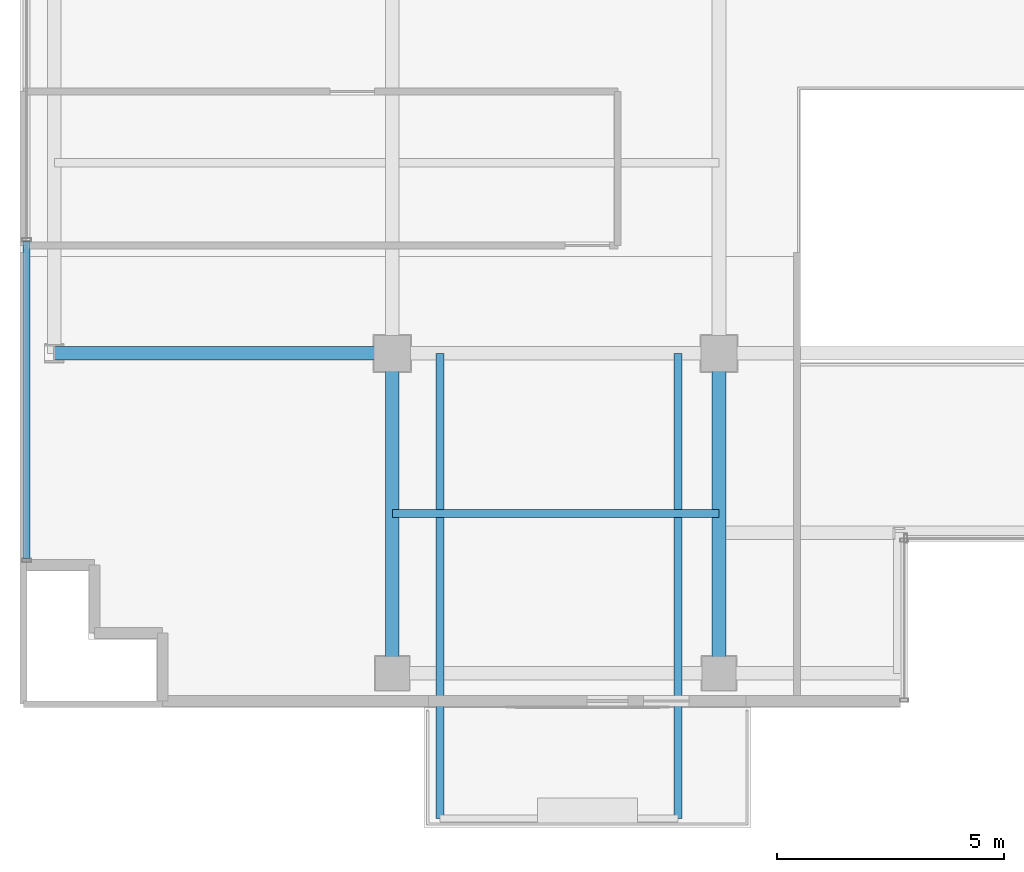
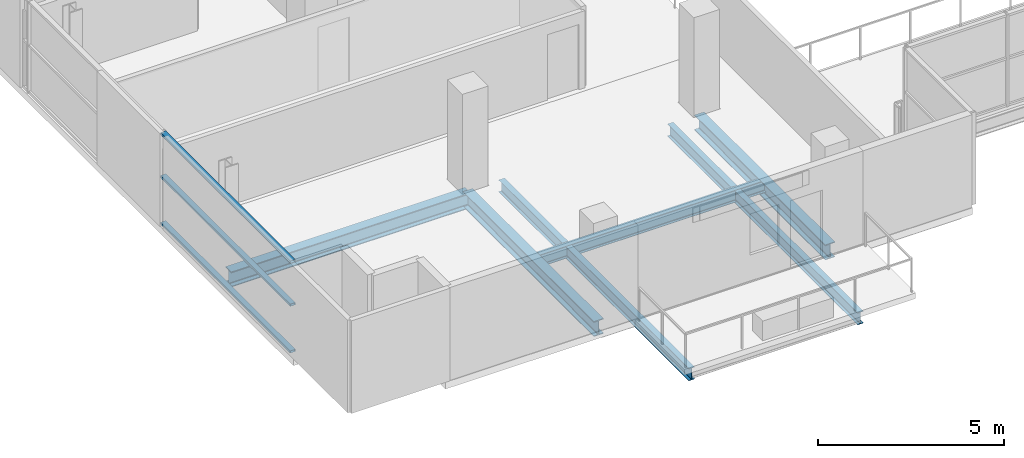
# One storey, part 3 of 22: 6 beams, 3 members, 1 element without a shape of its own.
"""IFC4 building model written with IfcOpenShell, lengths in metres."""

import ifcopenshell
import ifcopenshell.guid

model = None  # the IFC model being written
_history = None  # IfcOwnerHistory: only IFC2X3 demands one
_inside = {}  # id of a spatial element -> (the spatial element, [elements in it])
_under = {}  # id of a project, library or spatial element -> (it, [spatial elements below it])
_declared = {}  # id of a project -> (the project, [libraries it declares])
_typed = {}  # id of a type object -> (the type object, [elements of that type])
_made_of = {}  # id of a material, layer set ... -> (it, [elements and type objects made of it])


def new_model(schema):
    """Start an empty IFC model of exactly this schema.

    Asked for "IFC4X3", IfcOpenShell would pick the latest addendum, in which some entities
    have other attributes; the version numbers below select the first issue.
    IFC2X3 requires an IfcOwnerHistory on every rooted entity: one is made here for all.
    """
    global model, _history
    if schema == "IFC4X3":
        model = ifcopenshell.file(schema_version=(4, 3, 0, 0))
    else:
        model = ifcopenshell.file(schema=schema)
    _inside.clear()
    _under.clear()
    _declared.clear()
    _typed.clear()
    _made_of.clear()
    _history = None
    if model.schema == "IFC2X3":
        org = make("IfcOrganization", Name="unknown")
        user = make(
            "IfcPersonAndOrganization",
            ThePerson=make("IfcPerson", FamilyName="unknown"),
            TheOrganization=org,
        )
        app = make(
            "IfcApplication",
            ApplicationDeveloper=org,
            Version="unknown",
            ApplicationFullName="unknown",
            ApplicationIdentifier="unknown",
        )
        _history = make(
            "IfcOwnerHistory",
            OwningUser=user,
            OwningApplication=app,
            ChangeAction="ADDED",
            CreationDate=0,
        )
    return model


def make(cls, **values):
    """One entity of the class cls with the attributes given. An attribute that is None is left unset."""
    return model.create_entity(
        cls, **{name: value for name, value in values.items() if value is not None}
    )


def rooted(cls, **values):
    """An entity with a GlobalId (a new one), such as an element, a storey or a relation."""
    return make(cls, GlobalId=ifcopenshell.guid.new(), OwnerHistory=_history, **values)


def si_unit(unit_type, name, prefix=None):
    """IfcSIUnit, for example si_unit("LENGTHUNIT", "METRE", prefix="MILLI")."""
    return make("IfcSIUnit", UnitType=unit_type, Prefix=prefix, Name=name)


def assignment(units):
    """IfcUnitAssignment: the units of a project."""
    return None if units is None else make("IfcUnitAssignment", Units=units)


def point(xyz):
    """IfcCartesianPoint."""
    return None if xyz is None else make("IfcCartesianPoint", Coordinates=xyz)


def direction(xyz):
    """IfcDirection."""
    return None if xyz is None else make("IfcDirection", DirectionRatios=xyz)


def frame(location, z_axis=None, x_axis=None):
    """IfcAxis2Placement3D, a coordinate frame: its origin and axes. An axis left out is left unset."""
    return make(
        "IfcAxis2Placement3D",
        Location=point(location),
        Axis=direction(z_axis),
        RefDirection=direction(x_axis),
    )


def frame_2d(location, x_axis=None):
    """IfcAxis2Placement2D, a coordinate frame in the plane: its origin and x axis."""
    return make(
        "IfcAxis2Placement2D", Location=point(location), RefDirection=direction(x_axis)
    )


def origin():
    """The frame at (0, 0, 0) with its axes left unset."""
    return frame((0.0, 0.0, 0.0))


def origin_2d():
    """The frame at (0, 0) in the plane with its x axis left unset."""
    return frame_2d((0.0, 0.0))


def place(relative_to, where):
    """IfcLocalPlacement: puts the frame where relative to a parent placement (None: the world)."""
    return make(
        "IfcLocalPlacement", PlacementRelTo=relative_to, RelativePlacement=where
    )


def context(
    kind, dimensions, precision=None, world=None, true_north=None, identifier=None
):
    """IfcGeometricRepresentationContext, for example the 3D "Model" context."""
    return make(
        "IfcGeometricRepresentationContext",
        ContextIdentifier=identifier,
        ContextType=kind,
        CoordinateSpaceDimension=dimensions,
        Precision=precision,
        WorldCoordinateSystem=world,
        TrueNorth=true_north,
    )


def subcontext(parent, identifier, kind, view, scale=None):
    """IfcGeometricRepresentationSubContext, for example "Body" below "Model"."""
    return make(
        "IfcGeometricRepresentationSubContext",
        ContextIdentifier=identifier,
        ContextType=kind,
        ParentContext=parent,
        TargetScale=scale,
        TargetView=view,
    )


def project(units=None, contexts=None):
    """IfcProject with its units and contexts."""
    return rooted(
        "IfcProject",
        Name="project",
        RepresentationContexts=contexts,
        UnitsInContext=assignment(units),
    )


def spatial(cls, under=None, at=None, **own):
    """A site, building, storey or space (cls), placed at a placement, below another one or the project."""
    s = rooted(cls, ObjectPlacement=at, **own)
    if under is not None:
        _under.setdefault(under.id(), (under, []))[1].append(s)
    return s


def profile(cls, at=None, kind="AREA", **sizes):
    """A parametric profile (cls). Its sizes go by their IFC names, for example OverallWidth=200.0."""
    return make(cls, ProfileType=kind, Position=at, **sizes)


def hollow_rectangle(**sizes):
    """IfcRectangleHollowProfileDef."""
    return profile("IfcRectangleHollowProfileDef", **sizes)


def i_section(**sizes):
    """IfcIShapeProfileDef."""
    return profile("IfcIShapeProfileDef", **sizes)


def extrude(swept, where, along, depth):
    """IfcExtrudedAreaSolid: the profile swept, set in the frame where, extruded along a direction by depth."""
    return make(
        "IfcExtrudedAreaSolid",
        SweptArea=swept,
        Position=where,
        ExtrudedDirection=direction(along),
        Depth=depth,
    )


def shape(context_of_items, identifier, shape_type, items):
    """IfcShapeRepresentation: the items that make up one representation, for example the "Body"."""
    return make(
        "IfcShapeRepresentation",
        ContextOfItems=context_of_items,
        RepresentationIdentifier=identifier,
        RepresentationType=shape_type,
        Items=items,
    )


def source(mapping_origin, context_of_items, identifier, shape_type, items):
    """IfcRepresentationMap: a shape defined once, which mapped items show again and again."""
    return make(
        "IfcRepresentationMap",
        MappingOrigin=mapping_origin,
        MappedRepresentation=shape(context_of_items, identifier, shape_type, items),
    )


def transform(
    local_origin,
    x_axis=None,
    y_axis=None,
    z_axis=None,
    scale=None,
    scale2=None,
    scale3=None,
    uniform=True,
):
    """IfcCartesianTransformationOperator3D, or its non-uniform kind. x_axis, y_axis, z_axis: its Axis1, 2, 3."""
    if uniform:
        return make(
            "IfcCartesianTransformationOperator3D",
            Axis1=direction(x_axis),
            Axis2=direction(y_axis),
            LocalOrigin=point(local_origin),
            Scale=scale,
            Axis3=direction(z_axis),
        )
    return make(
        "IfcCartesianTransformationOperator3DnonUniform",
        Axis1=direction(x_axis),
        Axis2=direction(y_axis),
        LocalOrigin=point(local_origin),
        Scale=scale,
        Axis3=direction(z_axis),
        Scale2=scale2,
        Scale3=scale3,
    )


def mapped(mapping_source, mapping_target):
    """IfcMappedItem: shows the shape of a source again, moved by a transform."""
    return make(
        "IfcMappedItem", MappingSource=mapping_source, MappingTarget=mapping_target
    )


def material(Name=None, Category=None):
    """IfcMaterial."""
    return make("IfcMaterial", Name=Name, Category=Category)


def layer(
    of_material, thickness, ventilated=None, Name=None, Category=None, Priority=None
):
    """IfcMaterialLayer: one layer of a wall or slab, of a material (None: an air gap)."""
    return make(
        "IfcMaterialLayer",
        Material=of_material,
        LayerThickness=thickness,
        IsVentilated=ventilated,
        Name=Name,
        Category=Category,
        Priority=Priority,
    )


def layer_set(layers, Name=None):
    """IfcMaterialLayerSet."""
    return make("IfcMaterialLayerSet", MaterialLayers=layers, LayerSetName=Name)


def material_profile(
    of_material, cross_section, Name=None, Category=None, Priority=None
):
    """IfcMaterialProfile: a cross section and its material."""
    return make(
        "IfcMaterialProfile",
        Name=Name,
        Material=of_material,
        Profile=cross_section,
        Priority=Priority,
        Category=Category,
    )


def profile_set(profiles, Name=None, composite=None):
    """IfcMaterialProfileSet."""
    return make(
        "IfcMaterialProfileSet",
        Name=Name,
        MaterialProfiles=profiles,
        CompositeProfile=composite,
    )


def made_of(thing, what):
    """Note that an element or type object is made of a material, layer set ...; save() writes the relation."""
    if what is not None:
        _made_of.setdefault(what.id(), (what, []))[1].append(thing)
    return thing


def type_object(cls, material=None, **own):
    """A type object (cls), such as IfcWallType, which elements share."""
    return made_of(rooted(cls, **own), material)


def element(
    cls,
    number,
    at=None,
    inside=None,
    cuts=None,
    type_object=None,
    material=None,
    context=None,
    identifier="Body",
    shape_type=None,
    held_by="IfcProductDefinitionShape",
    body=None,
    shapes=None,
    **own,
):
    """One element of the class cls, such as IfcWall. Its Tag is "e" and its number.

    at: its placement. inside: the storey or other place that contains it. cuts: it is an
    opening in that element (IfcRelVoidsElement). A single representation is given by context,
    identifier, shape_type and body (its items); several are given by shapes. held_by: the class
    of the entity that holds the representations. save() writes the other relations.
    """
    e = rooted(cls, Tag="e%d" % number, ObjectPlacement=at, **own)
    if body is not None:
        shapes = [shape(context, identifier, shape_type, body)]
    if shapes is not None:
        e.Representation = make(held_by, Representations=shapes)
    if inside is not None:
        _inside.setdefault(inside.id(), (inside, []))[1].append(e)
    if cuts is not None:
        rooted(
            "IfcRelVoidsElement", RelatingBuildingElement=cuts, RelatedOpeningElement=e
        )
    if type_object is not None:
        _typed.setdefault(type_object.id(), (type_object, []))[1].append(e)
    return made_of(e, material)


def aggregate(whole, parts):
    """IfcRelAggregates: a whole, such as a stair, and the parts it consists of."""
    return rooted("IfcRelAggregates", RelatingObject=whole, RelatedObjects=parts)


def save(model, path):
    """Write the relations noted so far, then the file.

    IfcRelAggregates (storeys below a building ...), IfcRelContainedInSpatialStructure (elements
    in a storey), IfcRelDefinesByType, IfcRelAssociatesMaterial and IfcRelDeclares: one each for
    every whole, place, type object, material and project.
    """
    for whole, parts in _under.values():
        aggregate(whole, parts)
    for where, things in _inside.values():
        rooted(
            "IfcRelContainedInSpatialStructure",
            RelatedElements=things,
            RelatingStructure=where,
        )
    for kind, things in _typed.values():
        rooted("IfcRelDefinesByType", RelatedObjects=things, RelatingType=kind)
    for what, things in _made_of.values():
        rooted("IfcRelAssociatesMaterial", RelatedObjects=things, RelatingMaterial=what)
    for by, libraries in _declared.values():
        rooted("IfcRelDeclares", RelatingContext=by, RelatedDefinitions=libraries)
    model.write(path)


model = new_model("IFC4")

# Units and contexts
model_context = context("Model", 3, precision=1e-05, world=origin(), true_north=direction((0.0, 1.0)))
body_context = subcontext(model_context, "Body", "Model", "MODEL_VIEW")
ifc_project = project(units=[si_unit("LENGTHUNIT", "METRE"), si_unit("AREAUNIT", "SQUARE_METRE"), si_unit("VOLUMEUNIT", "CUBIC_METRE"), si_unit("PLANEANGLEUNIT", "RADIAN"), si_unit("MASSUNIT", "GRAM", prefix="KILO")], contexts=[model_context])

# Site, building, storey
site_placement = place(None, origin())
site = spatial("IfcSite", under=ifc_project, at=site_placement, CompositionType="ELEMENT")
building_placement = place(site_placement, origin())
building = spatial("IfcBuilding", under=site, at=building_placement, Name="Zarnakvel Exchange Tower", CompositionType="ELEMENT")
storey_placement = place(building_placement, frame((0.0, 0.0, 195.699951171875)))
storey = spatial("IfcBuildingStorey", under=building, at=storey_placement, Name="L55", CompositionType="ELEMENT", Elevation=195.699951171875)

# Beams
ifc_material_1 = material(Name="Steel S355", Category="steel")
ifc_material_profile_1 = material_profile(ifc_material_1, i_section(OverallWidth=0.179931640625, OverallDepth=0.39990234375, WebThickness=0.008544921875, FlangeThickness=0.013427734375, FilletRadius=0.02099609375, at=origin_2d()))
ifc_profile_set_1 = profile_set([ifc_material_profile_1], Name="Steel S355")
beam_type_1 = type_object("IfcBeamType", Name="B-06", PredefinedType="JOIST", material=ifc_profile_set_1)
beam_1_placement = place(storey_placement, frame((-14.39990234375, -13.125, -0.425048828125), z_axis=(1.0, 0.0, 0.0), x_axis=(0.0, 1.0, 0.0)))
element("IfcBeam", 1, at=beam_1_placement, inside=storey, type_object=beam_type_1, Name="L55 Composite Floor Secondary Joist", PredefinedType="JOIST", context=body_context, shape_type="SweptSolid", body=[
    extrude(i_section(OverallWidth=0.179931640625, OverallDepth=0.39990234375, WebThickness=0.008544921875, FlangeThickness=0.013427734375, FilletRadius=0.02099609375, at=origin_2d()), origin(), (0.0, 0.0, 1.0), 7.199951171875),
])
for number, where, z_axis, x_axis, name in (
    (2, (-13.35009765625, -9.60009765625, -0.425048828125), (0.0, -1.0, 0.0), (1.0, 0.0, 0.0), "L55 Continuous Back-Spanned Balcony Beam W"),
    (3, (-8.10009765625, -9.60009765625, -0.425048828125), (0.0, -1.0, 0.0), (1.0, 0.0, 0.0), "L55 Continuous Back-Spanned Balcony Beam E"),
):
    element("IfcBeam", number, at=place(storey_placement, frame(where, z_axis=z_axis, x_axis=x_axis)), inside=storey, type_object=beam_type_1, Name=name, PredefinedType="JOIST", context=body_context, shape_type="SweptSolid", body=[
        extrude(i_section(OverallWidth=0.179931640625, OverallDepth=0.39990234375, WebThickness=0.008544921875, FlangeThickness=0.013427734375, FilletRadius=0.02099609375, at=origin_2d()), origin(), (0.0, 0.0, 1.0), 10.25),
    ])
ifc_material_profile_2 = material_profile(ifc_material_1, i_section(OverallWidth=0.300048828125, OverallDepth=0.5, WebThickness=0.014404296875, FlangeThickness=0.028076171875, FilletRadius=0.027099609375, at=origin_2d()))
ifc_profile_set_2 = profile_set([ifc_material_profile_2], Name="Steel S355")
beam_type_2 = type_object("IfcBeamType", Name="G-06", PredefinedType="BEAM", material=ifc_profile_set_2)
beam_2_placement = place(storey_placement, frame((-21.85009765625, -9.60009765625, -0.474853515625), z_axis=(1.0, 0.0, 0.0), x_axis=(0.0, 1.0, 0.0)))
element("IfcBeam", 4, at=beam_2_placement, inside=storey, type_object=beam_type_2, Name="L55 Tower E-W Frame Beam", PredefinedType="BEAM", context=body_context, shape_type="SweptSolid", body=[
    extrude(i_section(OverallWidth=0.300048828125, OverallDepth=0.5, WebThickness=0.014404296875, FlangeThickness=0.028076171875, FilletRadius=0.027099609375, at=origin_2d()), origin(), (0.0, 0.0, 1.0), 7.4501953125),
])
for number, where, z_axis, x_axis, name in (
    (5, (-14.39990234375, -16.64990234375, -0.474853515625), (0.0, 1.0, 0.0), (-1.0, 0.0, 0.0), "L55 Tower N-S Frame Beam"),
    (6, (-7.199951171875, -16.64990234375, -0.474853515625), (0.0, 1.0, 0.0), (-1.0, 0.0, 0.0), "L55 Tower N-S Frame Beam"),
):
    element("IfcBeam", number, at=place(storey_placement, frame(where, z_axis=z_axis, x_axis=x_axis)), inside=storey, type_object=beam_type_2, Name=name, PredefinedType="BEAM", context=body_context, shape_type="SweptSolid", body=[
        extrude(i_section(OverallWidth=0.300048828125, OverallDepth=0.5, WebThickness=0.014404296875, FlangeThickness=0.028076171875, FilletRadius=0.027099609375, at=origin_2d()), origin(), (0.0, 0.0, 1.0), 7.0498046875),
    ])

# Curtain wall, members
ifc_material_2 = material(Name="Architectural Bronze Anodised Aluminium", Category="aluminium")
ifc_layer = layer(ifc_material_2, 0.199951171875)
ifc_layer_set = layer_set([ifc_layer], Name="Architectural Bronze Anodised Aluminium")
curtain_wall_type = type_object("IfcCurtainWallType", Name="CW-04", PredefinedType="NOTDEFINED", material=ifc_layer_set)
curtain_wall_placement = place(storey_placement, origin())
curtain_wall = element("IfcCurtainWall", 7, at=curtain_wall_placement, inside=storey, type_object=curtain_wall_type, Name="L55 Curtain Wall CW-L55-W1 (CW-04)", PredefinedType="NOTDEFINED")
ifc_material_profile_3 = material_profile(ifc_material_2, hollow_rectangle(XDim=0.159912109375, YDim=0.074951171875, WallThickness=0.00390625, at=origin_2d()))
ifc_profile_set_3 = profile_set([ifc_material_profile_3], Name="Architectural Bronze Anodised Aluminium")
member_type = type_object("IfcMemberType", Name="CWT-04", PredefinedType="USERDEFINED", material=ifc_profile_set_3)
shared_shape = source(origin(), body_context, "Body", "SweptSolid", [
    extrude(hollow_rectangle(XDim=0.159912109375, YDim=0.074951171875, WallThickness=0.00390625, at=origin_2d()), origin(), (0.0, 0.0, 1.0), 6.987548828125),
])
member_1_placement = place(storey_placement, frame((-22.4599609375, -14.125, 0.03759765625), z_axis=(0.0, 1.0, 0.0), x_axis=(-1.0, 0.0, 0.0)))
member_1 = element("IfcMember", 8, at=member_1_placement, type_object=member_type, Name="CW-04 transom 1.1", ObjectType="TRANSOM", PredefinedType="USERDEFINED", context=body_context, shape_type="MappedRepresentation", body=[
    mapped(shared_shape, transform((0.0, 0.0, 0.0), x_axis=(1.0, 0.0, 0.0), y_axis=(0.0, 1.0, 0.0), z_axis=(0.0, 0.0, 1.0), scale=1.0)),
])
member_2_placement = place(storey_placement, frame((-22.4599609375, -14.125, 1.57568359375), z_axis=(0.0, 1.0, 0.0), x_axis=(-1.0, 0.0, 0.0)))
member_2 = element("IfcMember", 9, at=member_2_placement, type_object=member_type, Name="CW-04 transom 1.2", ObjectType="TRANSOM", PredefinedType="USERDEFINED", context=body_context, shape_type="MappedRepresentation", body=[
    mapped(shared_shape, transform((0.0, 0.0, 0.0), x_axis=(1.0, 0.0, 0.0), y_axis=(0.0, 1.0, 0.0), z_axis=(0.0, 0.0, 1.0), scale=1.0)),
])
member_3_placement = place(storey_placement, frame((-22.4599609375, -14.125, 2.992431640625), z_axis=(0.0, 1.0, 0.0), x_axis=(-1.0, 0.0, 0.0)))
member_3 = element("IfcMember", 10, at=member_3_placement, type_object=member_type, Name="CW-04 transom 1.3", ObjectType="TRANSOM", PredefinedType="USERDEFINED", context=body_context, shape_type="MappedRepresentation", body=[
    mapped(shared_shape, transform((0.0, 0.0, 0.0), x_axis=(1.0, 0.0, 0.0), y_axis=(0.0, 1.0, 0.0), z_axis=(0.0, 0.0, 1.0), scale=1.0)),
])
aggregate(curtain_wall, [member_1, member_2, member_3])

save(model, "model.ifc")
